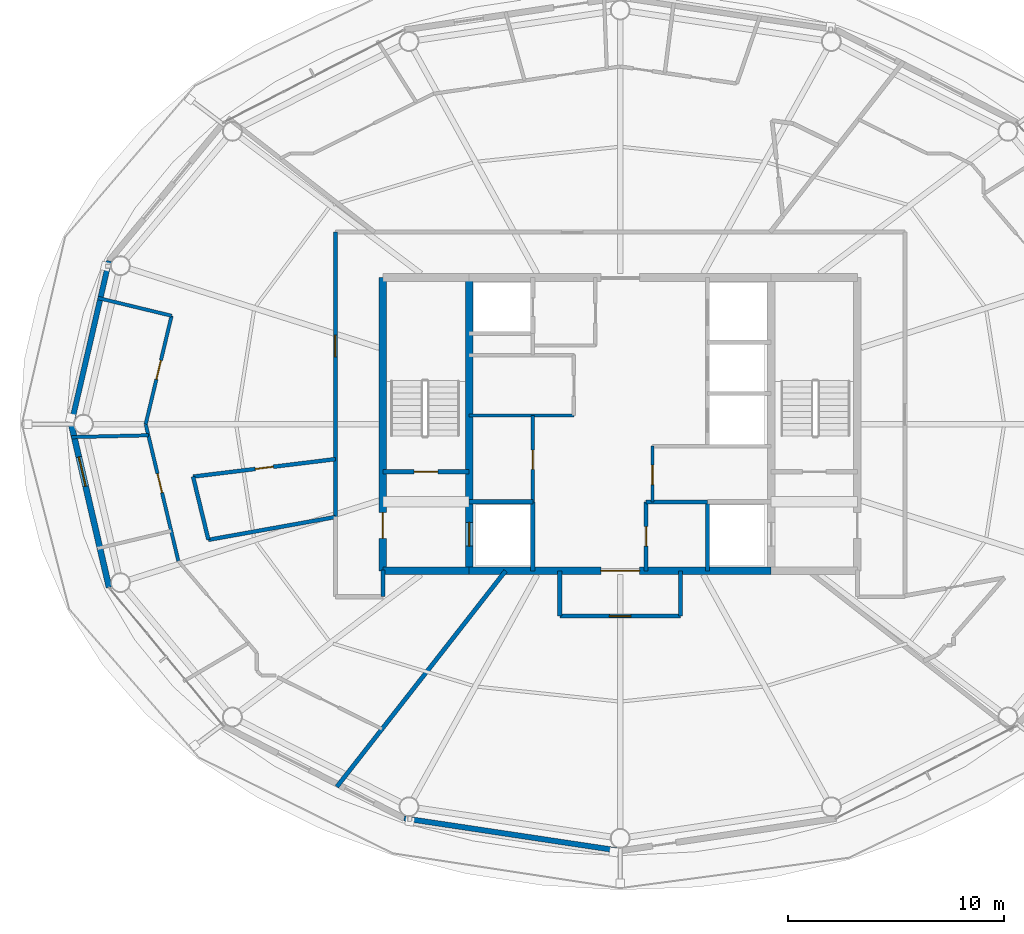
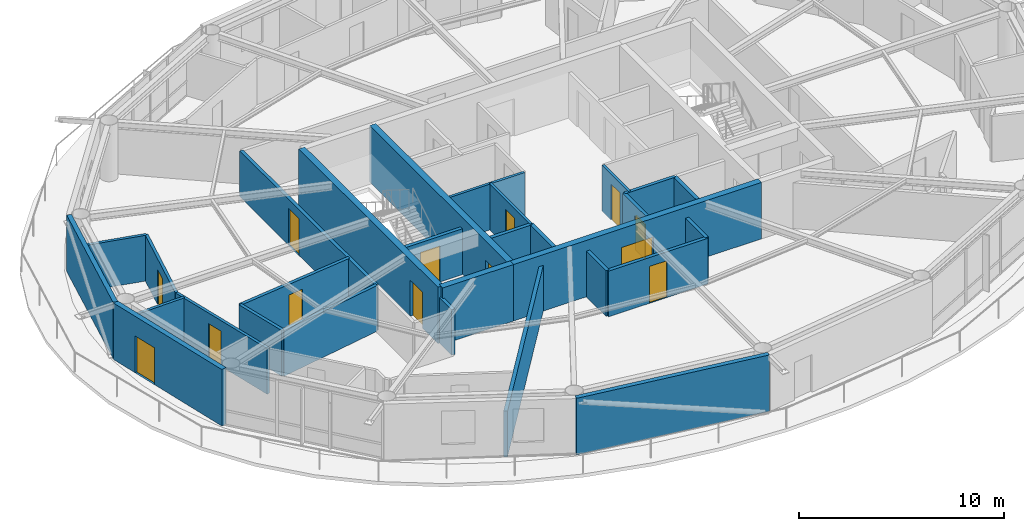
# One storey, part 16 of 22: 29 walls, 13 doors, 13 openings.
"""IFC4 building model written with IfcOpenShell, lengths in metres."""

from ifc_helpers import new_model, si_unit, direction, frame, frame_2d, origin, place, context, subcontext, project, spatial, rectangle, extrude, material, layer, layer_set, type_object, element, fill, save


model = new_model("IFC4")

# Units and contexts
model_context = context("Model", 3, precision=1e-05, world=origin(), true_north=direction((0.0, 1.0)))
body_context = subcontext(model_context, "Body", "Model", "MODEL_VIEW")
ifc_project = project(units=[si_unit("LENGTHUNIT", "METRE"), si_unit("AREAUNIT", "SQUARE_METRE"), si_unit("VOLUMEUNIT", "CUBIC_METRE"), si_unit("PLANEANGLEUNIT", "RADIAN"), si_unit("MASSUNIT", "GRAM", prefix="KILO")], contexts=[model_context])

# Site, building, storey
site_placement = place(None, origin())
site = spatial("IfcSite", under=ifc_project, at=site_placement, CompositionType="ELEMENT")
building_placement = place(site_placement, origin())
building = spatial("IfcBuilding", under=site, at=building_placement, Name="Sarneth Arch Tower", CompositionType="ELEMENT")
storey_placement = place(building_placement, frame((0.0, 0.0, 305.39990234375)))
storey = spatial("IfcBuildingStorey", under=building, at=storey_placement, Name="L79", CompositionType="ELEMENT", Elevation=305.39990234375)

# Wall
ifc_material_1 = material(Name="Concrete C50/60", Category="concrete")
ifc_layer_1 = layer(ifc_material_1, 0.35009765625)
ifc_layer_set_1 = layer_set([ifc_layer_1], Name="Concrete C50/60")
wall_type_1 = type_object("IfcWallType", Name="WALL-CORE-350", PredefinedType="SHEAR", material=ifc_layer_set_1)
wall_1_placement = place(storey_placement, frame((37.0, 35.199951171875, 0.0), z_axis=(0.0, 0.0, 1.0), x_axis=(1.0, 0.0, 0.0)))
element("IfcWall", 1, at=wall_1_placement, inside=storey, type_object=wall_type_1, Name="L79 Core shear wall S-W", PredefinedType="SHEAR", context=body_context, shape_type="SweptSolid", body=[
    extrude(rectangle(XDim=4.0, YDim=0.35009765625, at=frame_2d((2.0, 0.0))), origin(), (0.0, 0.0, 1.0), 3.3701171875),
])

# Wall, opening, door
wall_2_placement = place(storey_placement, frame((41.0, 35.199951171875, 0.0), z_axis=(0.0, 0.0, 1.0), x_axis=(1.0, 0.0, 0.0)))
wall_2 = element("IfcWall", 2, at=wall_2_placement, inside=storey, type_object=wall_type_1, Name="L79 Core shear wall S-M", PredefinedType="SHEAR", context=body_context, shape_type="SweptSolid", body=[
    extrude(rectangle(XDim=14.0, YDim=0.35009765625, at=frame_2d((7.0, 0.0))), origin(), (0.0, 0.0, 1.0), 3.3701171875),
])
opening_1_placement = place(wall_2_placement, frame((6.10009765625, 0.0, 0.0)))
opening_1 = element("IfcOpeningElement", 3, at=opening_1_placement, cuts=wall_2, Name="Opening FD-01", PredefinedType="OPENING", context=body_context, shape_type="SweptSolid", body=[
    extrude(rectangle(XDim=1.800048828125, YDim=2.25, at=frame_2d((0.89990234375, 1.125))), frame((0.0, 0.18505859375, 0.0), z_axis=(0.0, -1.0, 0.0), x_axis=(1.0, 0.0, 0.0)), (0.0, 0.0, 1.0), 0.3701171875),
])
ifc_material_2 = material(Name="Galvanised Steel S275 fire door set", Category="steel")
door_type_1 = type_object("IfcDoorType", Name="DR-FD90-1800", OperationType="DOUBLE_DOOR_SINGLE_SWING", PredefinedType="DOOR", material=ifc_material_2)
door_1_placement = place(opening_1_placement, origin())
door_1 = element("IfcDoor", 4, at=door_1_placement, inside=storey, type_object=door_type_1, Name="L79 Central lift lobby south door", OperationType="DOUBLE_DOOR_SINGLE_SWING", OverallHeight=2.25, OverallWidth=1.800048828125, PredefinedType="DOOR", context=body_context, shape_type="SweptSolid", body=[
    extrude(rectangle(XDim=1.800048828125, YDim=2.25, at=frame_2d((0.89990234375, 1.125))), frame((0.0, 0.02490234375, 0.0), z_axis=(0.0, -1.0, 0.0), x_axis=(1.0, 0.0, 0.0)), (0.0, 0.0, 1.0), 0.050048828125),
])
fill(opening_1, door_1)

wall_3_placement = place(storey_placement, frame((37.0, 35.199951171875, 0.0), z_axis=(0.0, 0.0, 1.0), x_axis=(0.0, 1.0, 0.0)))
wall_3 = element("IfcWall", 5, at=wall_3_placement, inside=storey, type_object=wall_type_1, Name="L79 Core shear wall W", PredefinedType="SHEAR", context=body_context, shape_type="SweptSolid", body=[
    extrude(rectangle(XDim=13.60009765625, YDim=0.35009765625, at=frame_2d((6.800048828125, 0.0))), origin(), (0.0, 0.0, 1.0), 3.3701171875),
])
opening_2_placement = place(wall_3_placement, frame((1.5, 0.0, 0.0)))
opening_2 = element("IfcOpeningElement", 6, at=opening_2_placement, cuts=wall_3, Name="Opening FD-02", PredefinedType="OPENING", context=body_context, shape_type="SweptSolid", body=[
    extrude(rectangle(XDim=1.199951171875, YDim=2.14990234375, at=frame_2d((0.60009765625, 1.074951171875))), frame((0.0, 0.18505859375, 0.0), z_axis=(0.0, -1.0, 0.0), x_axis=(1.0, 0.0, 0.0)), (0.0, 0.0, 1.0), 0.3701171875),
])
ifc_material_3 = material(Name="Galvanised Steel S275 fire door set", Category="steel")
door_type_2 = type_object("IfcDoorType", Name="DR-FD90-1200", OperationType="SINGLE_SWING_LEFT", PredefinedType="DOOR", material=ifc_material_3)
door_2_placement = place(opening_2_placement, origin())
door_2 = element("IfcDoor", 7, at=door_2_placement, inside=storey, type_object=door_type_2, Name="L79 Firefighting lobby 1 exit door", OperationType="SINGLE_SWING_LEFT", OverallHeight=2.14990234375, OverallWidth=1.199951171875, PredefinedType="DOOR", context=body_context, shape_type="SweptSolid", body=[
    extrude(rectangle(XDim=1.199951171875, YDim=2.14990234375, at=frame_2d((0.60009765625, 1.074951171875))), frame((0.0, 0.02490234375, 0.0), z_axis=(0.0, -1.0, 0.0), x_axis=(1.0, 0.0, 0.0)), (0.0, 0.0, 1.0), 0.050048828125),
])
fill(opening_2, door_2)

wall_4_placement = place(storey_placement, frame((41.0, 35.199951171875, 0.0), z_axis=(0.0, 0.0, 1.0), x_axis=(0.0, 1.0, 0.0)))
wall_4 = element("IfcWall", 8, at=wall_4_placement, inside=storey, type_object=wall_type_1, Name="L79 Core shear wall WEB-W", PredefinedType="SHEAR", context=body_context, shape_type="SweptSolid", body=[
    extrude(rectangle(XDim=13.60009765625, YDim=0.35009765625, at=frame_2d((6.800048828125, 0.0))), origin(), (0.0, 0.0, 1.0), 3.3701171875),
])
opening_3_placement = place(wall_4_placement, frame((1.14990234375, 0.0, 0.0)))
opening_3 = element("IfcOpeningElement", 9, at=opening_3_placement, cuts=wall_4, Name="Opening LD-1", PredefinedType="OPENING", context=body_context, shape_type="SweptSolid", body=[
    extrude(rectangle(XDim=1.10009765625, YDim=2.199951171875, at=frame_2d((0.550048828125, 1.10009765625))), frame((0.0, 0.18505859375, 0.0), z_axis=(0.0, -1.0, 0.0), x_axis=(1.0, 0.0, 0.0)), (0.0, 0.0, 1.0), 0.3701171875),
])
ifc_material_4 = material(Name="Brushed Stainless Steel 304 lift landing door", Category="steel")
door_type_3 = type_object("IfcDoorType", Name="DR-LIFT-SLIDE-1100", OperationType="SLIDING_TO_LEFT", PredefinedType="DOOR", material=ifc_material_4)
door_3_placement = place(opening_3_placement, origin())
door_3 = element("IfcDoor", 10, at=door_3_placement, inside=storey, type_object=door_type_3, Name="L79 Firefighting lift landing door FL-1", OperationType="SLIDING_TO_LEFT", OverallHeight=2.199951171875, OverallWidth=1.10009765625, PredefinedType="DOOR", context=body_context, shape_type="SweptSolid", body=[
    extrude(rectangle(XDim=1.10009765625, YDim=2.199951171875, at=frame_2d((0.550048828125, 1.10009765625))), frame((0.0, 0.02490234375, 0.0), z_axis=(0.0, -1.0, 0.0), x_axis=(1.0, 0.0, 0.0)), (0.0, 0.0, 1.0), 0.050048828125),
])
fill(opening_3, door_3)

ifc_material_5 = material(Name="Double steel-stud corridor fire wall", Category="steel")
ifc_layer_2 = layer(ifc_material_5, 0.18994140625)
ifc_layer_set_2 = layer_set([ifc_layer_2], Name="Double steel-stud corridor fire wall")
wall_type_2 = type_object("IfcWallType", Name="WALL-CORR-190", PredefinedType="PARTITIONING", material=ifc_layer_set_2)
wall_5_placement = place(storey_placement, frame((34.800048828125, 37.663330078125, 0.0), z_axis=(0.0, 0.0, 1.0), x_axis=(0.0, 1.0, 0.0)))
wall_5 = element("IfcWall", 11, at=wall_5_placement, inside=storey, type_object=wall_type_2, Name="L79 Interior partition W-L79-TP-005", PredefinedType="PARTITIONING", context=body_context, shape_type="SweptSolid", body=[
    extrude(rectangle(XDim=13.236572265625, YDim=0.18994140625, at=frame_2d((6.6181640625, 0.0))), origin(), (0.0, 0.0, 1.0), 2.72998046875),
])
opening_4_placement = place(wall_5_placement, frame((7.460205078125, 0.0, 0.0)))
opening_4 = element("IfcOpeningElement", 12, at=opening_4_placement, cuts=wall_5, Name="Opening FD-08", PredefinedType="OPENING", context=body_context, shape_type="SweptSolid", body=[
    extrude(rectangle(XDim=1.0, YDim=2.199951171875, at=frame_2d((0.5, 1.10009765625))), frame((0.0, 0.10498046875, 0.0), z_axis=(0.0, -1.0, 0.0), x_axis=(1.0, 0.0, 0.0)), (0.0, 0.0, 1.0), 0.2099609375),
])
ifc_material_6 = material(Name="Hardwood timber acoustic fire door", Category="wood")
door_type_4 = type_object("IfcDoorType", Name="DR-FD60-1000", OperationType="SINGLE_SWING_LEFT", PredefinedType="DOOR", material=ifc_material_6)
door_4_placement = place(opening_4_placement, origin())
door_4 = element("IfcDoor", 13, at=door_4_placement, inside=storey, type_object=door_type_4, Name="L79 Interior door DR-L79-U2-ENT", OperationType="SINGLE_SWING_RIGHT", OverallHeight=2.199951171875, OverallWidth=1.0, PredefinedType="DOOR", context=body_context, shape_type="SweptSolid", body=[
    extrude(rectangle(XDim=1.0, YDim=2.199951171875, at=frame_2d((0.5, 1.10009765625))), frame((0.0, 0.02490234375, 0.0), z_axis=(0.0, -1.0, 0.0), x_axis=(1.0, 0.0, 0.0)), (0.0, 0.0, 1.0), 0.050048828125),
])
fill(opening_4, door_4)

wall_6_placement = place(storey_placement, frame((50.800048828125, 33.10009765625, 0.0), z_axis=(0.0, 0.0, 1.0), x_axis=(-1.0, 0.0, 0.0)))
wall_6 = element("IfcWall", 14, at=wall_6_placement, inside=storey, type_object=wall_type_2, Name="L79 Interior partition W-L79-TP-013", PredefinedType="PARTITIONING", context=body_context, shape_type="SweptSolid", body=[
    extrude(rectangle(XDim=5.60009765625, YDim=0.18994140625, at=frame_2d((2.800048828125, 0.0))), origin(), (0.0, 0.0, 1.0), 2.72998046875),
])
opening_5_placement = place(wall_6_placement, frame((2.300048828125, 0.0, 0.0)))
opening_5 = element("IfcOpeningElement", 15, at=opening_5_placement, cuts=wall_6, Name="Opening FD-08", PredefinedType="OPENING", context=body_context, shape_type="SweptSolid", body=[
    extrude(rectangle(XDim=1.0, YDim=2.199951171875, at=frame_2d((0.5, 1.10009765625))), frame((0.0, 0.10498046875, 0.0), z_axis=(0.0, -1.0, 0.0), x_axis=(1.0, 0.0, 0.0)), (0.0, 0.0, 1.0), 0.2099609375),
])
door_5_placement = place(opening_5_placement, origin())
door_5 = element("IfcDoor", 16, at=door_5_placement, inside=storey, type_object=door_type_4, Name="L79 Interior door DR-L79-RAMN-03", OperationType="SINGLE_SWING_RIGHT", OverallHeight=2.199951171875, OverallWidth=1.0, PredefinedType="DOOR", context=body_context, shape_type="SweptSolid", body=[
    extrude(rectangle(XDim=1.0, YDim=2.199951171875, at=frame_2d((0.5, 1.10009765625))), frame((0.0, 0.02490234375, 0.0), z_axis=(0.0, -1.0, 0.0), x_axis=(1.0, 0.0, 0.0)), (0.0, 0.0, 1.0), 0.050048828125),
])
fill(opening_5, door_5)

# Walls
for number, where, z_axis, x_axis, name in (
    (17, (50.800048828125, 35.199951171875, 0.0), (0.0, 0.0, 1.0), (0.0, -1.0, 0.0), "L79 Interior partition W-L79-TP-012"),
    (18, (45.199951171875, 33.10009765625, 0.0), (0.0, 0.0, 1.0), (0.0, 1.0, 0.0), "L79 Interior partition W-L79-TP-014"),
):
    element("IfcWall", number, at=place(storey_placement, frame(where, z_axis=z_axis, x_axis=x_axis)), inside=storey, type_object=wall_type_2, Name=name, PredefinedType="PARTITIONING", context=body_context, shape_type="SweptSolid", body=[
        extrude(rectangle(XDim=2.099853515625, YDim=0.18994140625, at=frame_2d((1.0498046875, 0.0))), origin(), (0.0, 0.0, 1.0), 2.72998046875),
    ])
wall_7_placement = place(storey_placement, frame((37.0, 35.23193359375, 0.0), z_axis=(0.0, 0.0, 1.0), x_axis=(0.0, -1.0, 0.0)))
element("IfcWall", 19, at=wall_7_placement, inside=storey, type_object=wall_type_2, Name="L79 Interior partition W-L79-TP-002", PredefinedType="PARTITIONING", context=body_context, shape_type="SweptSolid", body=[
    extrude(rectangle(XDim=1.23193359375, YDim=0.18994140625, at=frame_2d((0.615966796875, 0.0))), origin(), (0.0, 0.0, 1.0), 2.72998046875),
])
ifc_material_7 = material(Name="Extruded terracotta rainscreen on Concrete C40/50 backing", Category="masonry")
ifc_layer_3 = layer(ifc_material_7, 0.25)
ifc_layer_set_3 = layer_set([ifc_layer_3], Name="Extruded terracotta rainscreen on Concrete C40/50 backing")
wall_type_3 = type_object("IfcWallType", Name="WALL-EXT-SPAND-250", PredefinedType="SOLIDWALL", material=ifc_layer_set_3)
wall_8_placement = place(storey_placement, frame((24.30615234375, 49.569580078125, 0.0), z_axis=(0.0, 0.0, 1.0), x_axis=(-0.225635078214, -0.974211892495, 0.0)))
element("IfcWall", 20, at=wall_8_placement, inside=storey, type_object=wall_type_3, Name="L79 Terracotta perimeter wall 08", PredefinedType="SOLIDWALL", context=body_context, shape_type="SweptSolid", body=[
    extrude(rectangle(XDim=7.77001953125, YDim=0.25, at=frame_2d((3.885009765625, 0.0))), origin(), (0.0, 0.0, 1.0), 3.3701171875),
])
wall_9_placement = place(storey_placement, frame((37.9873046875, 23.7255859375, 0.0), z_axis=(0.0, 0.0, 1.0), x_axis=(0.988882522213, -0.148698881169, 0.0)))
element("IfcWall", 21, at=wall_9_placement, inside=storey, type_object=wall_type_3, Name="L79 Terracotta perimeter wall 12", PredefinedType="SOLIDWALL", context=body_context, shape_type="SweptSolid", body=[
    extrude(rectangle(XDim=10.125244140625, YDim=0.25, at=frame_2d((5.0625, 0.0))), origin(), (0.0, 0.0, 1.0), 3.3701171875),
])

# Wall, opening, door
ifc_material_8 = material(Name="Extruded terracotta rainscreen on Concrete C40/50 backing", Category="masonry")
ifc_layer_4 = layer(ifc_material_8, 0.280029296875)
ifc_layer_set_4 = layer_set([ifc_layer_4], Name="Extruded terracotta rainscreen on Concrete C40/50 backing")
wall_type_4 = type_object("IfcWallType", Name="WALL-EXT-TERRA-280", PredefinedType="SOLIDWALL", material=ifc_layer_set_4)
wall_10_placement = place(storey_placement, frame((22.552978515625, 42.0, 0.0), z_axis=(0.0, 0.0, 1.0), x_axis=(0.225635078214, -0.974211892495, 0.0)))
wall_10 = element("IfcWall", 22, at=wall_10_placement, inside=storey, type_object=wall_type_4, Name="L79 Terracotta perimeter wall 09", PredefinedType="SOLIDWALL", context=body_context, shape_type="SweptSolid", body=[
    extrude(rectangle(XDim=7.77001953125, YDim=0.280029296875, at=frame_2d((3.885009765625, 0.0))), origin(), (0.0, 0.0, 1.0), 3.3701171875),
])
opening_6_placement = place(wall_10_placement, frame((1.55712890625, 0.0, 0.0)))
opening_6 = element("IfcOpeningElement", 23, at=opening_6_placement, cuts=wall_10, Name="Opening BD-2", PredefinedType="OPENING", context=body_context, shape_type="SweptSolid", body=[
    extrude(rectangle(XDim=1.39990234375, YDim=2.199951171875, at=frame_2d((0.699951171875, 1.10009765625))), frame((0.0, 0.14990234375, 0.0), z_axis=(0.0, -1.0, 0.0), x_axis=(1.0, 0.0, 0.0)), (0.0, 0.0, 1.0), 0.300048828125),
])
ifc_material_9 = material(Name="Thermally broken Aluminium 6063-T6 and laminated safety glass", Category="aluminium")
door_type_5 = type_object("IfcDoorType", Name="DR-BALC-GLZ-1400", OperationType="SINGLE_SWING_LEFT", PredefinedType="DOOR", material=ifc_material_9)
door_6_placement = place(opening_6_placement, origin())
door_6 = element("IfcDoor", 24, at=door_6_placement, inside=storey, type_object=door_type_5, Name="L79 Balcony glazed door 09", OperationType="SINGLE_SWING_LEFT", OverallHeight=2.199951171875, OverallWidth=1.39990234375, PredefinedType="DOOR", context=body_context, shape_type="SweptSolid", body=[
    extrude(rectangle(XDim=1.39990234375, YDim=2.199951171875, at=frame_2d((0.699951171875, 1.10009765625))), frame((0.0, 0.02490234375, 0.0), z_axis=(0.0, -1.0, 0.0), x_axis=(1.0, 0.0, 0.0)), (0.0, 0.0, 1.0), 0.050048828125),
])
fill(opening_6, door_6)

ifc_material_10 = material(Name="Acoustic gypsum stud partition", Category="gypsum")
ifc_layer_5 = layer(ifc_material_10, 0.14990234375)
ifc_layer_set_5 = layer_set([ifc_layer_5], Name="Acoustic gypsum stud partition")
wall_type_5 = type_object("IfcWallType", Name="WALL-PART-150", PredefinedType="PARTITIONING", material=ifc_layer_set_5)
wall_11_placement = place(storey_placement, frame((43.949951171875, 38.39990234375, 0.0), z_axis=(0.0, 0.0, 1.0), x_axis=(0.0, 1.0, 0.0)))
wall_11 = element("IfcWall", 25, at=wall_11_placement, inside=storey, type_object=wall_type_5, Name="L79 Interior partition W-L79-RECPL-E", PredefinedType="PARTITIONING", context=body_context, shape_type="SweptSolid", body=[
    extrude(rectangle(XDim=4.0, YDim=0.14990234375, at=frame_2d((2.0, 0.0))), origin(), (0.0, 0.0, 1.0), 2.72998046875),
])
opening_7_placement = place(wall_11_placement, frame((1.5, 0.0, 0.0)))
opening_7 = element("IfcOpeningElement", 26, at=opening_7_placement, cuts=wall_11, Name="Opening FD-10", PredefinedType="OPENING", context=body_context, shape_type="SweptSolid", body=[
    extrude(rectangle(XDim=0.89990234375, YDim=2.14990234375, at=frame_2d((0.449951171875, 1.074951171875))), frame((0.0, 0.0849609375, 0.0), z_axis=(0.0, -1.0, 0.0), x_axis=(1.0, 0.0, 0.0)), (0.0, 0.0, 1.0), 0.169921875),
])
ifc_material_11 = material(Name="Galvanised Steel S275 riser/service fire door", Category="steel")
door_type_6 = type_object("IfcDoorType", Name="DR-FD60-900", OperationType="SINGLE_SWING_LEFT", PredefinedType="DOOR", material=ifc_material_11)
door_7_placement = place(opening_7_placement, origin())
door_7 = element("IfcDoor", 27, at=door_7_placement, inside=storey, type_object=door_type_6, Name="L79 Interior door DR-L79-RECPL", OperationType="SINGLE_SWING_LEFT", OverallHeight=2.14990234375, OverallWidth=0.89990234375, PredefinedType="DOOR", context=body_context, shape_type="SweptSolid", body=[
    extrude(rectangle(XDim=0.89990234375, YDim=2.14990234375, at=frame_2d((0.449951171875, 1.074951171875))), frame((0.0, 0.02490234375, 0.0), z_axis=(0.0, -1.0, 0.0), x_axis=(1.0, 0.0, 0.0)), (0.0, 0.0, 1.0), 0.050048828125),
])
fill(opening_7, door_7)

# Wall
wall_12_placement = place(storey_placement, frame((41.0, 42.39990234375, 0.0), z_axis=(0.0, 0.0, 1.0), x_axis=(1.0, 0.0, 0.0)))
element("IfcWall", 28, at=wall_12_placement, inside=storey, type_object=wall_type_5, Name="L79 Interior partition W-L79-RECPM1-S", PredefinedType="PARTITIONING", context=body_context, shape_type="SweptSolid", body=[
    extrude(rectangle(XDim=4.85009765625, YDim=0.14990234375, at=frame_2d((2.425048828125, 0.0))), origin(), (0.0, 0.0, 1.0), 2.72998046875),
])

# Wall, opening, door
wall_13_placement = place(storey_placement, frame((49.5, 38.39990234375, 0.0), z_axis=(0.0, 0.0, 1.0), x_axis=(0.0, 1.0, 0.0)))
wall_13 = element("IfcWall", 29, at=wall_13_placement, inside=storey, type_object=wall_type_5, Name="L79 Interior partition W-L79-RECPM2-W", PredefinedType="PARTITIONING", context=body_context, shape_type="SweptSolid", body=[
    extrude(rectangle(XDim=2.580078125, YDim=0.14990234375, at=frame_2d((1.2900390625, 0.0))), origin(), (0.0, 0.0, 1.0), 2.72998046875),
])
opening_8_placement = place(wall_13_placement, frame((0.800048828125, 0.0, 0.0)))
opening_8 = element("IfcOpeningElement", 30, at=opening_8_placement, cuts=wall_13, Name="Opening FD-10", PredefinedType="OPENING", context=body_context, shape_type="SweptSolid", body=[
    extrude(rectangle(XDim=0.89990234375, YDim=2.14990234375, at=frame_2d((0.449951171875, 1.074951171875))), frame((0.0, 0.0849609375, 0.0), z_axis=(0.0, -1.0, 0.0), x_axis=(1.0, 0.0, 0.0)), (0.0, 0.0, 1.0), 0.169921875),
])
door_8_placement = place(opening_8_placement, origin())
door_8 = element("IfcDoor", 31, at=door_8_placement, inside=storey, type_object=door_type_6, Name="L79 Interior door DR-L79-RECPM2", OperationType="SINGLE_SWING_LEFT", OverallHeight=2.14990234375, OverallWidth=0.89990234375, PredefinedType="DOOR", context=body_context, shape_type="SweptSolid", body=[
    extrude(rectangle(XDim=0.89990234375, YDim=2.14990234375, at=frame_2d((0.449951171875, 1.074951171875))), frame((0.0, 0.02490234375, 0.0), z_axis=(0.0, -1.0, 0.0), x_axis=(1.0, 0.0, 0.0)), (0.0, 0.0, 1.0), 0.050048828125),
])
fill(opening_8, door_8)

ifc_material_12 = material(Name="Kitchen wet service chase wall", Category="gypsum")
ifc_layer_6 = layer(ifc_material_12, 0.159912109375)
ifc_layer_set_6 = layer_set([ifc_layer_6], Name="Kitchen wet service chase wall")
wall_type_6 = type_object("IfcWallType", Name="WALL-PLUMB-160", PredefinedType="PLUMBINGWALL", material=ifc_layer_set_6)
wall_14_placement = place(storey_placement, frame((27.2041015625, 47.026123046875, 0.0), z_axis=(0.0, 0.0, 1.0), x_axis=(-0.232306036208, -0.972642743016, 0.0)))
wall_14 = element("IfcWall", 32, at=wall_14_placement, inside=storey, type_object=wall_type_6, Name="L79 Interior partition W-L79-TP-039", PredefinedType="PLUMBINGWALL", context=body_context, shape_type="SweptSolid", body=[
    extrude(rectangle(XDim=5.16748046875, YDim=0.159912109375, at=frame_2d((2.583740234375, 0.0))), origin(), (0.0, 0.0, 1.0), 2.72998046875),
])
opening_9_placement = place(wall_14_placement, frame((2.1337890625, 0.0, 0.0)))
opening_9 = element("IfcOpeningElement", 33, at=opening_9_placement, cuts=wall_14, Name="Opening ID-01", PredefinedType="OPENING", context=body_context, shape_type="SweptSolid", body=[
    extrude(rectangle(XDim=0.89990234375, YDim=2.10009765625, at=frame_2d((0.449951171875, 1.050048828125))), frame((0.0, 0.08984375, 0.0), z_axis=(0.0, -1.0, 0.0), x_axis=(1.0, 0.0, 0.0)), (0.0, 0.0, 1.0), 0.179931640625),
])
ifc_material_13 = material(Name="Engineered hardwood flush door", Category="wood")
door_type_7 = type_object("IfcDoorType", Name="DR-INT-900", OperationType="SINGLE_SWING_LEFT", PredefinedType="DOOR", material=ifc_material_13)
door_9_placement = place(opening_9_placement, origin())
door_9 = element("IfcDoor", 34, at=door_9_placement, inside=storey, type_object=door_type_7, Name="L79 Interior door DR-L79-U2-KIT", OperationType="SINGLE_SWING_RIGHT", OverallHeight=2.10009765625, OverallWidth=0.89990234375, PredefinedType="DOOR", context=body_context, shape_type="SweptSolid", body=[
    extrude(rectangle(XDim=0.89990234375, YDim=2.10009765625, at=frame_2d((0.449951171875, 1.050048828125))), frame((0.0, 0.02490234375, 0.0), z_axis=(0.0, -1.0, 0.0), x_axis=(1.0, 0.0, 0.0)), (0.0, 0.0, 1.0), 0.050048828125),
])
fill(opening_9, door_9)

wall_15_placement = place(storey_placement, frame((27.51904296875, 35.655029296875, 0.0), z_axis=(0.0, 0.0, 1.0), x_axis=(-0.232298462197, 0.972644551962, 0.0)))
wall_15 = element("IfcWall", 35, at=wall_15_placement, inside=storey, type_object=wall_type_6, Name="L79 Interior partition W-L79-TP-044", PredefinedType="PLUMBINGWALL", context=body_context, shape_type="SweptSolid", body=[
    extrude(rectangle(XDim=6.5234375, YDim=0.159912109375, at=frame_2d((3.26171875, 0.0))), origin(), (0.0, 0.0, 1.0), 2.72998046875),
])
opening_10_placement = place(wall_15_placement, frame((3.263916015625, 0.0, 0.0)))
opening_10 = element("IfcOpeningElement", 36, at=opening_10_placement, cuts=wall_15, Name="Opening ID-01", PredefinedType="OPENING", context=body_context, shape_type="SweptSolid", body=[
    extrude(rectangle(XDim=0.89990234375, YDim=2.10009765625, at=frame_2d((0.449951171875, 1.050048828125))), frame((0.0, 0.08984375, 0.0), z_axis=(0.0, -1.0, 0.0), x_axis=(1.0, 0.0, 0.0)), (0.0, 0.0, 1.0), 0.179931640625),
])
door_10_placement = place(opening_10_placement, origin())
door_10 = element("IfcDoor", 37, at=door_10_placement, inside=storey, type_object=door_type_7, Name="L79 Interior door DR-L79-U2-BED1", OperationType="SINGLE_SWING_RIGHT", OverallHeight=2.10009765625, OverallWidth=0.89990234375, PredefinedType="DOOR", context=body_context, shape_type="SweptSolid", body=[
    extrude(rectangle(XDim=0.89990234375, YDim=2.10009765625, at=frame_2d((0.449951171875, 1.050048828125))), frame((0.0, 0.02490234375, 0.0), z_axis=(0.0, -1.0, 0.0), x_axis=(1.0, 0.0, 0.0)), (0.0, 0.0, 1.0), 0.050048828125),
])
fill(opening_10, door_10)

# Walls
wall_16_placement = place(storey_placement, frame((26.126953125, 41.483642578125, 0.0), z_axis=(0.0, 0.0, 1.0), x_axis=(-0.999722785281, -0.023544693446, 0.0)))
element("IfcWall", 38, at=wall_16_placement, inside=storey, type_object=wall_type_6, Name="L79 Interior partition W-L79-TP-053", PredefinedType="PLUMBINGWALL", context=body_context, shape_type="SweptSolid", body=[
    extrude(rectangle(XDim=3.556640625, YDim=0.159912109375, at=frame_2d((1.7783203125, 0.0))), origin(), (0.0, 0.0, 1.0), 2.72998046875),
])
wall_17_placement = place(storey_placement, frame((23.785400390625, 47.852294921875, 0.0), z_axis=(0.0, 0.0, 1.0), x_axis=(0.972019388221, -0.234900636274, 0.0)))
element("IfcWall", 39, at=wall_17_placement, inside=storey, type_object=wall_type_6, Name="L79 Interior partition W-L79-TP-038", PredefinedType="PLUMBINGWALL", context=body_context, shape_type="SweptSolid", body=[
    extrude(rectangle(XDim=3.51708984375, YDim=0.159912109375, at=frame_2d((1.758544921875, 0.0))), origin(), (0.0, 0.0, 1.0), 2.72998046875),
])
ifc_material_14 = material(Name="Moisture-resistant plumbing chase wall", Category="gypsum")
ifc_layer_7 = layer(ifc_material_14, 0.179931640625)
ifc_layer_set_7 = layer_set([ifc_layer_7], Name="Moisture-resistant plumbing chase wall")
wall_type_7 = type_object("IfcWallType", Name="WALL-PLUMB-180", PredefinedType="PLUMBINGWALL", material=ifc_layer_set_7)
wall_18_placement = place(storey_placement, frame((49.199951171875, 38.39990234375, 0.0), z_axis=(0.0, 0.0, 1.0), x_axis=(1.0, 0.0, 0.0)))
element("IfcWall", 40, at=wall_18_placement, inside=storey, type_object=wall_type_7, Name="L79 Interior partition W-L79-AWC-N", PredefinedType="PLUMBINGWALL", context=body_context, shape_type="SweptSolid", body=[
    extrude(rectangle(XDim=2.85009765625, YDim=0.179931640625, at=frame_2d((1.425048828125, 0.0))), origin(), (0.0, 0.0, 1.0), 2.72998046875),
])

# Wall, opening, door
wall_19_placement = place(storey_placement, frame((49.199951171875, 35.199951171875, 0.0), z_axis=(0.0, 0.0, 1.0), x_axis=(0.0, 1.0, 0.0)))
wall_19 = element("IfcWall", 41, at=wall_19_placement, inside=storey, type_object=wall_type_7, Name="L79 Interior partition W-L79-AWC-W", PredefinedType="PLUMBINGWALL", context=body_context, shape_type="SweptSolid", body=[
    extrude(rectangle(XDim=3.199951171875, YDim=0.179931640625, at=frame_2d((1.60009765625, 0.0))), origin(), (0.0, 0.0, 1.0), 2.72998046875),
])
opening_11_placement = place(wall_19_placement, frame((1.14990234375, 0.0, 0.0)))
opening_11 = element("IfcOpeningElement", 42, at=opening_11_placement, cuts=wall_19, Name="Opening ID-01", PredefinedType="OPENING", context=body_context, shape_type="SweptSolid", body=[
    extrude(rectangle(XDim=0.89990234375, YDim=2.10009765625, at=frame_2d((0.449951171875, 1.050048828125))), frame((0.0, 0.099853515625, 0.0), z_axis=(0.0, -1.0, 0.0), x_axis=(1.0, 0.0, 0.0)), (0.0, 0.0, 1.0), 0.199951171875),
])
door_11_placement = place(opening_11_placement, origin())
door_11 = element("IfcDoor", 43, at=door_11_placement, inside=storey, type_object=door_type_7, Name="L79 Interior door DR-L79-AWC", OperationType="SINGLE_SWING_RIGHT", OverallHeight=2.10009765625, OverallWidth=0.89990234375, PredefinedType="DOOR", context=body_context, shape_type="SweptSolid", body=[
    extrude(rectangle(XDim=0.89990234375, YDim=2.10009765625, at=frame_2d((0.449951171875, 1.050048828125))), frame((0.0, 0.02490234375, 0.0), z_axis=(0.0, -1.0, 0.0), x_axis=(1.0, 0.0, 0.0)), (0.0, 0.0, 1.0), 0.050048828125),
])
fill(opening_11, door_11)

wall_20_placement = place(storey_placement, frame((34.800048828125, 40.37939453125, 0.0), z_axis=(0.0, 0.0, 1.0), x_axis=(-0.99254493565, -0.121879246453, 0.0)))
wall_20 = element("IfcWall", 44, at=wall_20_placement, inside=storey, type_object=wall_type_7, Name="L79 Interior partition W-L79-TP-041", PredefinedType="PLUMBINGWALL", context=body_context, shape_type="SweptSolid", body=[
    extrude(rectangle(XDim=6.650390625, YDim=0.179931640625, at=frame_2d((3.3251953125, 0.0))), origin(), (0.0, 0.0, 1.0), 2.72998046875),
])
opening_12_placement = place(wall_20_placement, frame((2.900146484375, 0.0, 0.0)))
opening_12 = element("IfcOpeningElement", 45, at=opening_12_placement, cuts=wall_20, Name="Opening ID-02", PredefinedType="OPENING", context=body_context, shape_type="SweptSolid", body=[
    extrude(rectangle(XDim=0.85009765625, YDim=2.10009765625, at=frame_2d((0.425048828125, 1.050048828125))), frame((0.0, 0.099853515625, 0.0), z_axis=(0.0, -1.0, 0.0), x_axis=(1.0, 0.0, 0.0)), (0.0, 0.0, 1.0), 0.199951171875),
])
ifc_material_15 = material(Name="Moisture-resistant bathroom timber door", Category="wood")
door_type_8 = type_object("IfcDoorType", Name="DR-INT-850", OperationType="SINGLE_SWING_RIGHT", PredefinedType="DOOR", material=ifc_material_15)
door_12_placement = place(opening_12_placement, origin())
door_12 = element("IfcDoor", 46, at=door_12_placement, inside=storey, type_object=door_type_8, Name="L79 Interior door DR-L79-U2-BATH", OperationType="SINGLE_SWING_LEFT", OverallHeight=2.10009765625, OverallWidth=0.85009765625, PredefinedType="DOOR", context=body_context, shape_type="SweptSolid", body=[
    extrude(rectangle(XDim=0.85009765625, YDim=2.10009765625, at=frame_2d((0.425048828125, 1.050048828125))), frame((0.0, 0.02490234375, 0.0), z_axis=(0.0, -1.0, 0.0), x_axis=(1.0, 0.0, 0.0)), (0.0, 0.0, 1.0), 0.050048828125),
])
fill(opening_12, door_12)

# Walls
wall_21_placement = place(storey_placement, frame((28.912841796875, 36.638427734375, 0.0), z_axis=(0.0, 0.0, 1.0), x_axis=(0.984251000252, 0.176776606208, 0.0)))
element("IfcWall", 47, at=wall_21_placement, inside=storey, type_object=wall_type_7, Name="L79 Interior partition W-L79-TP-043", PredefinedType="PLUMBINGWALL", context=body_context, shape_type="SweptSolid", body=[
    extrude(rectangle(XDim=5.9814453125, YDim=0.179931640625, at=frame_2d((2.99072265625, 0.0))), origin(), (0.0, 0.0, 1.0), 2.72998046875),
])
wall_22_placement = place(storey_placement, frame((28.19921875, 39.56884765625, 0.0), z_axis=(0.0, 0.0, 1.0), x_axis=(0.236607697995, -0.971605268229, 0.0)))
element("IfcWall", 48, at=wall_22_placement, inside=storey, type_object=wall_type_7, Name="L79 Interior partition W-L79-TP-042", PredefinedType="PLUMBINGWALL", context=body_context, shape_type="SweptSolid", body=[
    extrude(rectangle(XDim=3.01611328125, YDim=0.179931640625, at=frame_2d((1.508056640625, 0.0))), origin(), (0.0, 0.0, 1.0), 2.72998046875),
])

# Wall, opening, door
ifc_material_16 = material(Name="Aerated concrete blockwork C25/30", Category="masonry")
ifc_layer_8 = layer(ifc_material_16, 0.199951171875)
ifc_layer_set_8 = layer_set([ifc_layer_8], Name="Aerated concrete blockwork C25/30")
wall_type_8 = type_object("IfcWallType", Name="WALL-SHAFT-200", PredefinedType="SOLIDWALL", material=ifc_layer_set_8)
wall_23_placement = place(storey_placement, frame((37.0, 39.800048828125, 0.0), z_axis=(0.0, 0.0, 1.0), x_axis=(1.0, 0.0, 0.0)))
wall_23 = element("IfcWall", 49, at=wall_23_placement, inside=storey, type_object=wall_type_8, Name="L79 Interior partition W-L79-ST1-S", PredefinedType="SOLIDWALL", context=body_context, shape_type="SweptSolid", body=[
    extrude(rectangle(XDim=4.0, YDim=0.199951171875, at=frame_2d((2.0, 0.0))), origin(), (0.0, 0.0, 1.0), 2.72998046875),
])
opening_13_placement = place(wall_23_placement, frame((1.449951171875, 0.0, 0.0)))
opening_13 = element("IfcOpeningElement", 50, at=opening_13_placement, cuts=wall_23, Name="Opening FD-03", PredefinedType="OPENING", context=body_context, shape_type="SweptSolid", body=[
    extrude(rectangle(XDim=1.10009765625, YDim=2.14990234375, at=frame_2d((0.550048828125, 1.074951171875))), frame((0.0, 0.10986328125, 0.0), z_axis=(0.0, -1.0, 0.0), x_axis=(1.0, 0.0, 0.0)), (0.0, 0.0, 1.0), 0.219970703125),
])
ifc_material_17 = material(Name="Galvanised Steel S275 fire door set", Category="steel")
door_type_9 = type_object("IfcDoorType", Name="DR-FD90-1100", OperationType="SINGLE_SWING_LEFT", PredefinedType="DOOR", material=ifc_material_17)
door_13_placement = place(opening_13_placement, origin())
door_13 = element("IfcDoor", 51, at=door_13_placement, inside=storey, type_object=door_type_9, Name="L79 Interior door DR-L79-ST1", OperationType="SINGLE_SWING_LEFT", OverallHeight=2.14990234375, OverallWidth=1.10009765625, PredefinedType="DOOR", context=body_context, shape_type="SweptSolid", body=[
    extrude(rectangle(XDim=1.10009765625, YDim=2.14990234375, at=frame_2d((0.550048828125, 1.074951171875))), frame((0.0, 0.02490234375, 0.0), z_axis=(0.0, -1.0, 0.0), x_axis=(1.0, 0.0, 0.0)), (0.0, 0.0, 1.0), 0.050048828125),
])
fill(opening_13, door_13)

# Walls
wall_24_placement = place(storey_placement, frame((43.949951171875, 35.199951171875, 0.0), z_axis=(0.0, 0.0, 1.0), x_axis=(0.0, 1.0, 0.0)))
element("IfcWall", 52, at=wall_24_placement, inside=storey, type_object=wall_type_8, Name="L79 Interior partition W-L79-FL1-E", PredefinedType="SOLIDWALL", context=body_context, shape_type="SweptSolid", body=[
    extrude(rectangle(XDim=3.199951171875, YDim=0.199951171875, at=frame_2d((1.60009765625, 0.0))), origin(), (0.0, 0.0, 1.0), 2.72998046875),
])
wall_25_placement = place(storey_placement, frame((41.0, 38.39990234375, 0.0), z_axis=(0.0, 0.0, 1.0), x_axis=(1.0, 0.0, 0.0)))
element("IfcWall", 53, at=wall_25_placement, inside=storey, type_object=wall_type_8, Name="L79 Interior partition W-L79-FL1-N", PredefinedType="SOLIDWALL", context=body_context, shape_type="SweptSolid", body=[
    extrude(rectangle(XDim=2.949951171875, YDim=0.199951171875, at=frame_2d((1.47509765625, 0.0))), origin(), (0.0, 0.0, 1.0), 2.72998046875),
])
wall_26_placement = place(storey_placement, frame((52.050048828125, 35.199951171875, 0.0), z_axis=(0.0, 0.0, 1.0), x_axis=(0.0, 1.0, 0.0)))
element("IfcWall", 54, at=wall_26_placement, inside=storey, type_object=wall_type_8, Name="L79 Interior partition W-L79-FL2-W", PredefinedType="SOLIDWALL", context=body_context, shape_type="SweptSolid", body=[
    extrude(rectangle(XDim=3.199951171875, YDim=0.199951171875, at=frame_2d((1.60009765625, 0.0))), origin(), (0.0, 0.0, 1.0), 2.72998046875),
])
ifc_material_18 = material(Name="Double steel-stud acoustic drywall", Category="steel")
ifc_layer_9 = layer(ifc_material_18, 0.199951171875)
ifc_layer_set_9 = layer_set([ifc_layer_9], Name="Double steel-stud acoustic drywall")
wall_type_9 = type_object("IfcWallType", Name="WALL-UNIT-200", PredefinedType="PARTITIONING", material=ifc_layer_set_9)
wall_27_placement = place(storey_placement, frame((42.687255859375, 35.199951171875, 0.0), z_axis=(0.0, 0.0, 1.0), x_axis=(-0.615663811723, -0.788008928208, 0.0)))
element("IfcWall", 55, at=wall_27_placement, inside=storey, type_object=wall_type_9, Name="L79 Interior partition W-L79-TP-052", PredefinedType="PARTITIONING", context=body_context, shape_type="SweptSolid", body=[
    extrude(rectangle(XDim=12.701171875, YDim=0.199951171875, at=frame_2d((6.3505859375, 0.0))), origin(), (0.0, 0.0, 1.0), 2.72998046875),
])

save(model, "model.ifc")
